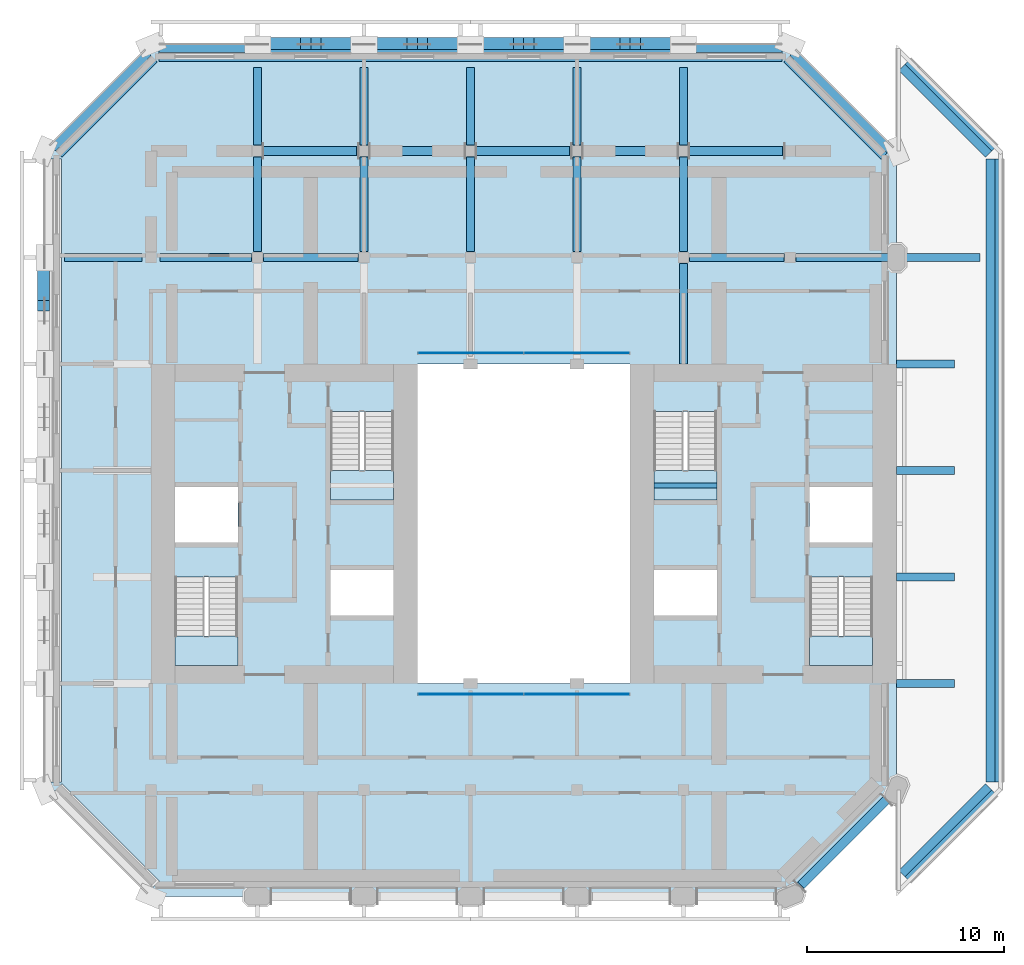
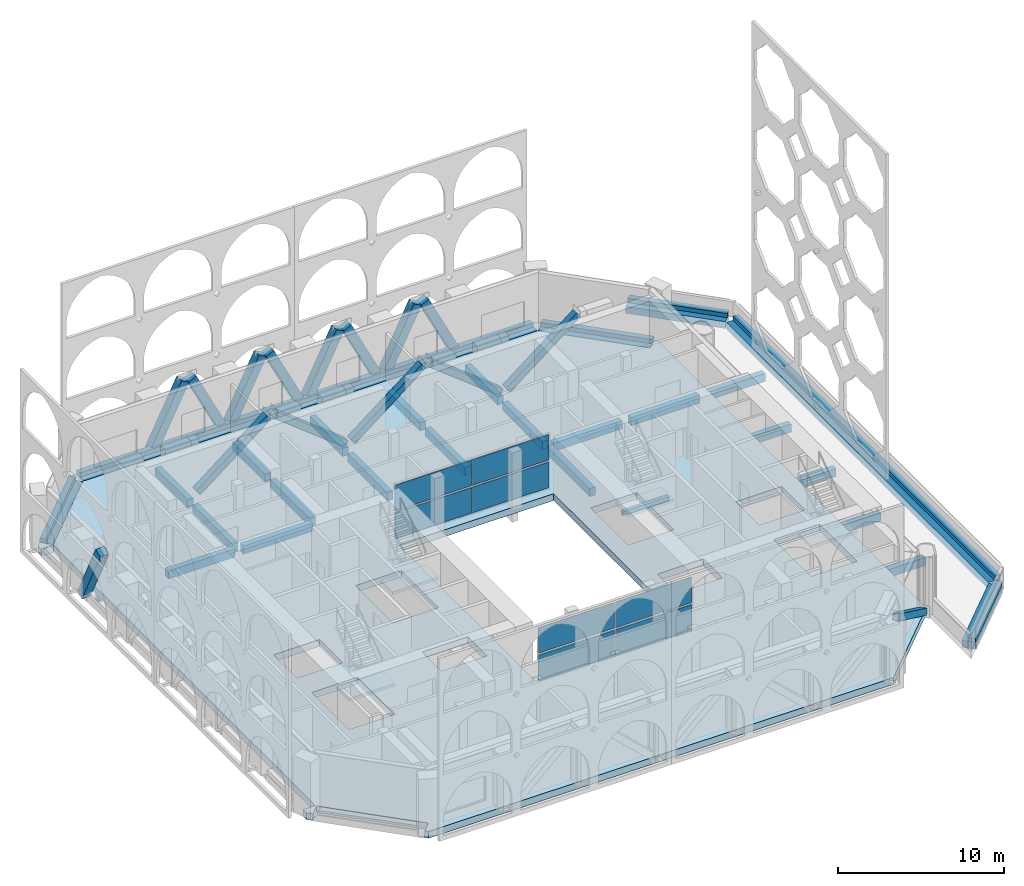
# One storey, part 5 of 16: 34 beams, 15 members, 8 plates, 5 slabs, 6 elements without a shape of their own.
"""IFC4 building model written with IfcOpenShell, lengths in metres."""

from ifc_helpers import new_model, si_unit, direction, frame, origin, origin_2d, place, context, subcontext, project, spatial, polyline, rectangle, outline, extrude, material, layer, layer_set, material_profile, profile_set, type_object, element, aggregate, save


model = new_model("IFC4")

# Units and contexts
model_context = context("Model", 3, precision=1e-05, world=origin(), true_north=direction((0.0, 1.0)))
body_context = subcontext(model_context, "Body", "Model", "MODEL_VIEW")
ifc_project = project(units=[si_unit("LENGTHUNIT", "METRE"), si_unit("AREAUNIT", "SQUARE_METRE"), si_unit("VOLUMEUNIT", "CUBIC_METRE"), si_unit("PLANEANGLEUNIT", "RADIAN"), si_unit("MASSUNIT", "GRAM", prefix="KILO")], contexts=[model_context])

# Site, building, storey
site_placement = place(None, origin())
site = spatial("IfcSite", under=ifc_project, at=site_placement, CompositionType="ELEMENT")
building_placement = place(site_placement, origin())
building = spatial("IfcBuilding", under=site, at=building_placement, Name="Tabaq Tower and Sports Hall", CompositionType="ELEMENT")
storey_placement = place(building_placement, frame((0.0, 0.0, 308.199951171875)))
storey = spatial("IfcBuildingStorey", under=building, at=storey_placement, Name="L77", CompositionType="ELEMENT", Elevation=308.199951171875)

# Beams
ifc_material_1 = material(Name="Concrete C40/50", Category="concrete")
ifc_material_profile_1 = material_profile(ifc_material_1, rectangle(XDim=0.39990234375, YDim=0.60009765625, at=origin_2d()), Name="CB 400x600")
ifc_profile_set_1 = profile_set([ifc_material_profile_1], Name="Concrete C40/50")
beam_type_1 = type_object("IfcBeamType", Name="PT CANTILEVER BEAM CB 400x600 C40/50", PredefinedType="BEAM", material=ifc_profile_set_1)
beam_1_placement = place(storey_placement, frame((1.0, 37.800048828125, -0.800048828125), z_axis=(1.0, 0.0, 0.0), x_axis=(0.0, 1.0, 0.0)))
element("IfcBeam", 1, at=beam_1_placement, inside=storey, type_object=beam_type_1, Name="Cantilever Beam L77 W7 span 1", PredefinedType="BEAM", context=body_context, shape_type="SweptSolid", body=[
    extrude(rectangle(XDim=0.39990234375, YDim=0.60009765625, at=origin_2d()), origin(), (0.0, 0.0, 1.0), 3.949951171875),
])
beam_2_placement = place(storey_placement, frame((5.85009765625, 37.800048828125, -0.800048828125), z_axis=(1.0, 0.0, 0.0), x_axis=(0.0, 1.0, 0.0)))
element("IfcBeam", 2, at=beam_2_placement, inside=storey, type_object=beam_type_1, Name="Cantilever Beam L77 W7 span 2", PredefinedType="BEAM", context=body_context, shape_type="SweptSolid", body=[
    extrude(rectangle(XDim=0.39990234375, YDim=0.60009765625, at=origin_2d()), origin(), (0.0, 0.0, 1.0), 4.64990234375),
])
beam_3_placement = place(storey_placement, frame((11.10009765625, 37.800048828125, -0.800048828125), z_axis=(1.0, 0.0, 0.0), x_axis=(0.0, 1.0, 0.0)))
element("IfcBeam", 3, at=beam_3_placement, inside=storey, type_object=beam_type_1, Name="Cantilever Beam L77 W7 span 3", PredefinedType="BEAM", context=body_context, shape_type="SweptSolid", body=[
    extrude(rectangle(XDim=0.39990234375, YDim=0.60009765625, at=origin_2d()), origin(), (0.0, 0.0, 1.0), 4.7998046875),
])
for number, where, z_axis, x_axis, name in (
    (4, (46.14990234375, 16.199951171875, -0.800048828125), (-1.0, 0.0, 0.0), (0.0, -1.0, 0.0), "Cantilever Beam L77 E3 span 1"),
    (5, (46.14990234375, 21.60009765625, -0.800048828125), (-1.0, 0.0, 0.0), (0.0, -1.0, 0.0), "Cantilever Beam L77 E4 span 1"),
    (6, (46.14990234375, 27.0, -0.800048828125), (-1.0, 0.0, 0.0), (0.0, -1.0, 0.0), "Cantilever Beam L77 E5 span 1"),
    (7, (46.14990234375, 32.39990234375, -0.800048828125), (-1.0, 0.0, 0.0), (0.0, -1.0, 0.0), "Cantilever Beam L77 E6 span 1"),
):
    element("IfcBeam", number, at=place(storey_placement, frame(where, z_axis=z_axis, x_axis=x_axis)), inside=storey, type_object=beam_type_1, Name=name, PredefinedType="BEAM", context=body_context, shape_type="SweptSolid", body=[
        extrude(rectangle(XDim=0.39990234375, YDim=0.60009765625, at=origin_2d()), origin(), (0.0, 0.0, 1.0), 2.949951171875),
    ])
beam_4_placement = place(storey_placement, frame((47.449951171875, 37.800048828125, -0.800048828125), z_axis=(-1.0, 0.0, 0.0), x_axis=(0.0, -1.0, 0.0)))
element("IfcBeam", 8, at=beam_4_placement, inside=storey, type_object=beam_type_1, Name="Cantilever Beam L77 E7 span 1", PredefinedType="BEAM", context=body_context, shape_type="SweptSolid", body=[
    extrude(rectangle(XDim=0.39990234375, YDim=0.60009765625, at=origin_2d()), origin(), (0.0, 0.0, 1.0), 3.949951171875),
])
beam_5_placement = place(storey_placement, frame((42.89990234375, 37.800048828125, -0.800048828125), z_axis=(-1.0, 0.0, 0.0), x_axis=(0.0, -1.0, 0.0)))
element("IfcBeam", 9, at=beam_5_placement, inside=storey, type_object=beam_type_1, Name="Cantilever Beam L77 E7 span 2", PredefinedType="BEAM", context=body_context, shape_type="SweptSolid", body=[
    extrude(rectangle(XDim=0.39990234375, YDim=0.60009765625, at=origin_2d()), origin(), (0.0, 0.0, 1.0), 4.7998046875),
])
beam_6_placement = place(storey_placement, frame((37.5, 37.800048828125, -0.800048828125), z_axis=(-1.0, 0.0, 0.0), x_axis=(0.0, -1.0, 0.0)))
element("IfcBeam", 10, at=beam_6_placement, inside=storey, type_object=beam_type_1, Name="Cantilever Beam L77 E7 span 3", PredefinedType="BEAM", context=body_context, shape_type="SweptSolid", body=[
    extrude(rectangle(XDim=0.39990234375, YDim=0.60009765625, at=origin_2d()), origin(), (0.0, 0.0, 1.0), 4.800048828125),
])
beam_7_placement = place(storey_placement, frame((10.800048828125, 47.449951171875, -0.800048828125), z_axis=(0.0, -1.0, 0.0), x_axis=(1.0, 0.0, 0.0)))
element("IfcBeam", 11, at=beam_7_placement, inside=storey, type_object=beam_type_1, Name="Cantilever Beam L77 N2 span 1", PredefinedType="BEAM", context=body_context, shape_type="SweptSolid", body=[
    extrude(rectangle(XDim=0.39990234375, YDim=0.60009765625, at=origin_2d()), origin(), (0.0, 0.0, 1.0), 3.949951171875),
])
beam_8_placement = place(storey_placement, frame((10.800048828125, 42.89990234375, -0.800048828125), z_axis=(0.0, -1.0, 0.0), x_axis=(1.0, 0.0, 0.0)))
element("IfcBeam", 12, at=beam_8_placement, inside=storey, type_object=beam_type_1, Name="Cantilever Beam L77 N2 span 2", PredefinedType="BEAM", context=body_context, shape_type="SweptSolid", body=[
    extrude(rectangle(XDim=0.39990234375, YDim=0.60009765625, at=origin_2d()), origin(), (0.0, 0.0, 1.0), 4.7998046875),
])
beam_9_placement = place(storey_placement, frame((16.199951171875, 47.449951171875, -0.800048828125), z_axis=(0.0, -1.0, 0.0), x_axis=(1.0, 0.0, 0.0)))
element("IfcBeam", 13, at=beam_9_placement, inside=storey, type_object=beam_type_1, Name="Cantilever Beam L77 N3 span 1", PredefinedType="BEAM", context=body_context, shape_type="SweptSolid", body=[
    extrude(rectangle(XDim=0.39990234375, YDim=0.60009765625, at=origin_2d()), origin(), (0.0, 0.0, 1.0), 3.949951171875),
])
beam_10_placement = place(storey_placement, frame((16.199951171875, 42.89990234375, -0.800048828125), z_axis=(0.0, -1.0, 0.0), x_axis=(1.0, 0.0, 0.0)))
element("IfcBeam", 14, at=beam_10_placement, inside=storey, type_object=beam_type_1, Name="Cantilever Beam L77 N3 span 2", PredefinedType="BEAM", context=body_context, shape_type="SweptSolid", body=[
    extrude(rectangle(XDim=0.39990234375, YDim=0.60009765625, at=origin_2d()), origin(), (0.0, 0.0, 1.0), 4.7998046875),
])
beam_11_placement = place(storey_placement, frame((21.60009765625, 47.449951171875, -0.800048828125), z_axis=(0.0, -1.0, 0.0), x_axis=(1.0, 0.0, 0.0)))
element("IfcBeam", 15, at=beam_11_placement, inside=storey, type_object=beam_type_1, Name="Cantilever Beam L77 N4 span 1", PredefinedType="BEAM", context=body_context, shape_type="SweptSolid", body=[
    extrude(rectangle(XDim=0.39990234375, YDim=0.60009765625, at=origin_2d()), origin(), (0.0, 0.0, 1.0), 3.949951171875),
])
beam_12_placement = place(storey_placement, frame((21.60009765625, 42.89990234375, -0.800048828125), z_axis=(0.0, -1.0, 0.0), x_axis=(1.0, 0.0, 0.0)))
element("IfcBeam", 16, at=beam_12_placement, inside=storey, type_object=beam_type_1, Name="Cantilever Beam L77 N4 span 2", PredefinedType="BEAM", context=body_context, shape_type="SweptSolid", body=[
    extrude(rectangle(XDim=0.39990234375, YDim=0.60009765625, at=origin_2d()), origin(), (0.0, 0.0, 1.0), 4.7998046875),
])
beam_13_placement = place(storey_placement, frame((27.0, 47.449951171875, -0.800048828125), z_axis=(0.0, -1.0, 0.0), x_axis=(1.0, 0.0, 0.0)))
element("IfcBeam", 17, at=beam_13_placement, inside=storey, type_object=beam_type_1, Name="Cantilever Beam L77 N5 span 1", PredefinedType="BEAM", context=body_context, shape_type="SweptSolid", body=[
    extrude(rectangle(XDim=0.39990234375, YDim=0.60009765625, at=origin_2d()), origin(), (0.0, 0.0, 1.0), 3.949951171875),
])
beam_14_placement = place(storey_placement, frame((27.0, 42.89990234375, -0.800048828125), z_axis=(0.0, -1.0, 0.0), x_axis=(1.0, 0.0, 0.0)))
element("IfcBeam", 18, at=beam_14_placement, inside=storey, type_object=beam_type_1, Name="Cantilever Beam L77 N5 span 2", PredefinedType="BEAM", context=body_context, shape_type="SweptSolid", body=[
    extrude(rectangle(XDim=0.39990234375, YDim=0.60009765625, at=origin_2d()), origin(), (0.0, 0.0, 1.0), 4.7998046875),
])
beam_15_placement = place(storey_placement, frame((32.39990234375, 47.449951171875, -0.800048828125), z_axis=(0.0, -1.0, 0.0), x_axis=(1.0, 0.0, 0.0)))
element("IfcBeam", 19, at=beam_15_placement, inside=storey, type_object=beam_type_1, Name="Cantilever Beam L77 N6 span 1", PredefinedType="BEAM", context=body_context, shape_type="SweptSolid", body=[
    extrude(rectangle(XDim=0.39990234375, YDim=0.60009765625, at=origin_2d()), origin(), (0.0, 0.0, 1.0), 3.949951171875),
])
beam_16_placement = place(storey_placement, frame((32.39990234375, 42.89990234375, -0.800048828125), z_axis=(0.0, -1.0, 0.0), x_axis=(1.0, 0.0, 0.0)))
element("IfcBeam", 20, at=beam_16_placement, inside=storey, type_object=beam_type_1, Name="Cantilever Beam L77 N6 span 2", PredefinedType="BEAM", context=body_context, shape_type="SweptSolid", body=[
    extrude(rectangle(XDim=0.39990234375, YDim=0.60009765625, at=origin_2d()), origin(), (0.0, 0.0, 1.0), 4.7998046875),
])
beam_17_placement = place(storey_placement, frame((32.39990234375, 37.5, -0.800048828125), z_axis=(0.0, -1.0, 0.0), x_axis=(1.0, 0.0, 0.0)))
element("IfcBeam", 21, at=beam_17_placement, inside=storey, type_object=beam_type_1, Name="Cantilever Beam L77 N6 span 3", PredefinedType="BEAM", context=body_context, shape_type="SweptSolid", body=[
    extrude(rectangle(XDim=0.39990234375, YDim=0.60009765625, at=origin_2d()), origin(), (0.0, 0.0, 1.0), 5.10009765625),
])
ifc_material_2 = material(Name="Concrete C40/50", Category="concrete")
ifc_material_profile_2 = material_profile(ifc_material_2, rectangle(XDim=0.85009765625, YDim=0.5, at=origin_2d()), Name="EB 850x500")
ifc_profile_set_2 = profile_set([ifc_material_profile_2], Name="Concrete C40/50")
beam_type_2 = type_object("IfcBeamType", Name="PT EDGE BEAM EB 850x500 C40/50", PredefinedType="SPANDREL", material=ifc_profile_set_2)
beam_18_placement = place(storey_placement, frame((42.72265625, 43.076171875, -0.25), z_axis=(-0.707106781187, 0.707106781187, 0.0), x_axis=(-0.707106781187, -0.707106781187, 0.0)))
element("IfcBeam", 22, at=beam_18_placement, inside=storey, type_object=beam_type_2, Name="Edge Beam L77 1", PredefinedType="SPANDREL", context=body_context, shape_type="SweptSolid", body=[
    extrude(rectangle(XDim=0.85009765625, YDim=0.5, at=origin_2d()), origin(), (0.0, 0.0, 1.0), 6.98486328125),
])
beam_19_placement = place(storey_placement, frame((37.39794921875, 48.175048828125, -0.25), z_axis=(-1.0, 0.0, 0.0), x_axis=(0.0, -1.0, 0.0)))
element("IfcBeam", 23, at=beam_19_placement, inside=storey, type_object=beam_type_2, Name="Edge Beam L77 2", PredefinedType="SPANDREL", context=body_context, shape_type="SweptSolid", body=[
    extrude(rectangle(XDim=0.85009765625, YDim=0.5, at=origin_2d()), origin(), (0.0, 0.0, 1.0), 31.595947265625),
])
beam_20_placement = place(storey_placement, frame((5.416259765625, 48.01513671875, -0.25), z_axis=(-0.707124646667, -0.707088915255, 0.0), x_axis=(0.707088915255, -0.707124646667, 0.0)))
element("IfcBeam", 24, at=beam_20_placement, inside=storey, type_object=beam_type_2, Name="Edge Beam L77 3", PredefinedType="SPANDREL", context=body_context, shape_type="SweptSolid", body=[
    extrude(rectangle(XDim=0.85009765625, YDim=0.5, at=origin_2d()), origin(), (0.0, 0.0, 1.0), 6.832763671875),
])
beam_21_placement = place(storey_placement, frame((43.614990234375, 6.416015625, -0.25), z_axis=(0.707106781187, 0.707106781187, 0.0), x_axis=(-0.707106781187, 0.707106781187, 0.0)))
element("IfcBeam", 25, at=beam_21_placement, inside=storey, type_object=beam_type_2, Name="Edge Beam L77 6", PredefinedType="SPANDREL", context=body_context, shape_type="SweptSolid", body=[
    extrude(rectangle(XDim=0.85009765625, YDim=0.5, at=origin_2d()), origin(), (0.0, 0.0, 1.0), 6.22265625),
])
beam_22_placement = place(storey_placement, frame((48.175048828125, 11.2021484375, -0.25), z_axis=(0.0, 1.0, 0.0), x_axis=(-1.0, 0.0, 0.0)))
element("IfcBeam", 26, at=beam_22_placement, inside=storey, type_object=beam_type_2, Name="Edge Beam L77 7", PredefinedType="SPANDREL", context=body_context, shape_type="SweptSolid", body=[
    extrude(rectangle(XDim=0.85009765625, YDim=0.5, at=origin_2d()), origin(), (0.0, 0.0, 1.0), 31.595703125),
])
beam_23_placement = place(storey_placement, frame((48.01513671875, 43.183837890625, -0.25), z_axis=(-0.707106781187, 0.707106781187, 0.0), x_axis=(-0.707106781187, -0.707106781187, 0.0)))
element("IfcBeam", 27, at=beam_23_placement, inside=storey, type_object=beam_type_2, Name="Edge Beam L77 8", PredefinedType="SPANDREL", context=body_context, shape_type="SweptSolid", body=[
    extrude(rectangle(XDim=0.85009765625, YDim=0.5, at=origin_2d()), origin(), (0.0, 0.0, 1.0), 6.22265625),
])
ifc_material_3 = material(Name="Concrete C40/50", Category="concrete")
ifc_material_profile_3 = material_profile(ifc_material_3, rectangle(XDim=0.39990234375, YDim=0.300048828125, at=origin_2d()), Name="EU 400x300")
ifc_profile_set_3 = profile_set([ifc_material_profile_3], Name="Concrete C40/50")
beam_type_3 = type_object("IfcBeamType", Name="PT EDGE UPSTAND EU 400x300 C40/50", PredefinedType="BEAM", material=ifc_profile_set_3)
beam_24_placement = place(storey_placement, frame((42.8818359375, 43.2353515625, 0.150146484375), z_axis=(-0.707106781187, 0.707106781187, 0.0), x_axis=(-0.707106781187, -0.707106781187, 0.0)))
element("IfcBeam", 28, at=beam_24_placement, inside=storey, type_object=beam_type_3, Name="Edge Upstand L77 1", PredefinedType="BEAM", context=body_context, shape_type="SweptSolid", body=[
    extrude(rectangle(XDim=0.39990234375, YDim=0.300048828125, at=origin_2d()), origin(), (0.0, 0.0, 1.0), 6.98486328125),
])
beam_25_placement = place(storey_placement, frame((37.39794921875, 48.39990234375, 0.150146484375), z_axis=(-1.0, 0.0, 0.0), x_axis=(0.0, -1.0, 0.0)))
element("IfcBeam", 29, at=beam_25_placement, inside=storey, type_object=beam_type_3, Name="Edge Upstand L77 2", PredefinedType="BEAM", context=body_context, shape_type="SweptSolid", body=[
    extrude(rectangle(XDim=0.39990234375, YDim=0.300048828125, at=origin_2d()), origin(), (0.0, 0.0, 1.0), 31.595947265625),
])
beam_26_placement = place(storey_placement, frame((5.257080078125, 48.17431640625, 0.150146484375), z_axis=(-0.707088915255, -0.707124646667, 0.0), x_axis=(0.707124646667, -0.707088915255, 0.0)))
element("IfcBeam", 30, at=beam_26_placement, inside=storey, type_object=beam_type_3, Name="Edge Upstand L77 3", PredefinedType="BEAM", context=body_context, shape_type="SweptSolid", body=[
    extrude(rectangle(XDim=0.39990234375, YDim=0.300048828125, at=origin_2d()), origin(), (0.0, 0.0, 1.0), 6.832763671875),
])
beam_27_placement = place(storey_placement, frame((43.774169921875, 6.2568359375, 0.150146484375), z_axis=(0.70708716467, 0.707126397159, 0.0), x_axis=(-0.707126397159, 0.70708716467, 0.0)))
element("IfcBeam", 31, at=beam_27_placement, inside=storey, type_object=beam_type_3, Name="Edge Upstand L77 6", PredefinedType="BEAM", context=body_context, shape_type="SweptSolid", body=[
    extrude(rectangle(XDim=0.39990234375, YDim=0.300048828125, at=origin_2d()), origin(), (0.0, 0.0, 1.0), 6.222900390625),
])
beam_28_placement = place(storey_placement, frame((48.39990234375, 11.2021484375, 0.150146484375), z_axis=(0.0, 1.0, 0.0), x_axis=(-1.0, 0.0, 0.0)))
element("IfcBeam", 32, at=beam_28_placement, inside=storey, type_object=beam_type_3, Name="Edge Upstand L77 7", PredefinedType="BEAM", context=body_context, shape_type="SweptSolid", body=[
    extrude(rectangle(XDim=0.39990234375, YDim=0.300048828125, at=origin_2d()), origin(), (0.0, 0.0, 1.0), 31.595703125),
])
beam_29_placement = place(storey_placement, frame((48.17431640625, 43.3427734375, 0.150146484375), z_axis=(-0.70708716467, 0.707126397159, 0.0), x_axis=(-0.707126397159, -0.70708716467, 0.0)))
element("IfcBeam", 33, at=beam_29_placement, inside=storey, type_object=beam_type_3, Name="Edge Upstand L77 8", PredefinedType="BEAM", context=body_context, shape_type="SweptSolid", body=[
    extrude(rectangle(XDim=0.39990234375, YDim=0.300048828125, at=origin_2d()), origin(), (0.0, 0.0, 1.0), 6.222900390625),
])

# Members
ifc_material_4 = material(Name="Concrete C40/50", Category="concrete")
ifc_material_profile_4 = material_profile(ifc_material_4, rectangle(XDim=0.449951171875, YDim=0.449951171875, at=origin_2d()), Name="BELT STRUT 450x450")
ifc_profile_set_4 = profile_set([ifc_material_profile_4], Name="Concrete C40/50")
member_type_1 = type_object("IfcMemberType", Name="RC BELT TRUSS STRUT BELT STRUT 450x450 C40/50", PredefinedType="BRACE", material=ifc_profile_set_4)
member_1_placement = place(storey_placement, frame((42.719482421875, 10.3193359375, 0.1923828125), z_axis=(-0.604267196655, -0.604233962292, 0.519386632346), x_axis=(0.707087335142, -0.707126226696, 0.0)))
element("IfcMember", 34, at=member_1_placement, inside=storey, type_object=member_type_1, Name="Belt Truss Strut L77 6", PredefinedType="BRACE", context=body_context, shape_type="SweptSolid", body=[
    extrude(rectangle(XDim=0.449951171875, YDim=0.449951171875, at=origin_2d()), origin(), (0.0, 0.0, 1.0), 7.345947265625),
])
for number, where, z_axis, x_axis, name in (
    (35, (11.044921875, 43.199951171875, 0.17724609375), (0.787273658158, 0.0, 0.616603752154), (0.0, 1.0, 0.0), "Belt Truss Strut L77 7"),
    (36, (21.35498046875, 43.199951171875, 0.17724609375), (-0.787258774734, 0.0, 0.616622754692), (0.0, -1.0, 0.0), "Belt Truss Strut L77 8"),
    (37, (21.844970703125, 43.199951171875, 0.17724609375), (0.787258774734, 0.0, 0.616622754692), (0.0, 1.0, 0.0), "Belt Truss Strut L77 9"),
    (38, (32.155029296875, 43.199951171875, 0.17724609375), (-0.787258774734, 0.0, 0.616622754692), (0.0, -1.0, 0.0), "Belt Truss Strut L77 10"),
    (39, (32.64501953125, 43.199951171875, 0.17724609375), (0.787258774734, 0.0, 0.616622754692), (0.0, 1.0, 0.0), "Belt Truss Strut L77 11"),
):
    element("IfcMember", number, at=place(storey_placement, frame(where, z_axis=z_axis, x_axis=x_axis)), inside=storey, type_object=member_type_1, Name=name, PredefinedType="BRACE", context=body_context, shape_type="SweptSolid", body=[
        extrude(rectangle(XDim=0.449951171875, YDim=0.449951171875, at=origin_2d()), origin(), (0.0, 0.0, 1.0), 6.23681640625),
    ])
ifc_material_5 = material(Name="Concrete C40/50", Category="concrete")
ifc_material_profile_5 = material_profile(ifc_material_5, rectangle(XDim=0.60009765625, YDim=0.60009765625, at=origin_2d()), Name="TRANSFER BAND BRACE 600x600")
ifc_profile_set_5 = profile_set([ifc_material_profile_5], Name="Concrete C40/50")
member_type_2 = type_object("IfcMemberType", Name="RC TRANSFER BAND BRACE 600x600 C40/50", PredefinedType="BRACE", material=ifc_profile_set_5)
for number, where, z_axis, x_axis, name in (
    (40, (11.050048828125, 48.64990234375, -0.050048828125), (0.447193744375, 0.0, 0.894437116287), (0.0, 1.0, 0.0), "Transfer Band Brace L77 North 1"),
    (41, (15.949951171875, 48.64990234375, -0.050048828125), (-0.447193744375, 0.0, 0.894437116287), (0.0, -1.0, 0.0), "Transfer Band Brace L77 North 2"),
    (42, (16.449951171875, 48.64990234375, -0.050048828125), (0.447193744375, 0.0, 0.894437116287), (0.0, 1.0, 0.0), "Transfer Band Brace L77 North 3"),
):
    element("IfcMember", number, at=place(storey_placement, frame(where, z_axis=z_axis, x_axis=x_axis)), inside=storey, type_object=member_type_2, Name=name, PredefinedType="BRACE", context=body_context, shape_type="SweptSolid", body=[
        extrude(rectangle(XDim=0.60009765625, YDim=0.60009765625, at=origin_2d()), origin(), (0.0, 0.0, 1.0), 4.91943359375),
    ])
member_2_placement = place(storey_placement, frame((21.35009765625, 48.64990234375, -0.050048828125), z_axis=(-0.447233445964, 0.0, 0.894417265492), x_axis=(0.0, -1.0, 0.0)))
element("IfcMember", 43, at=member_2_placement, inside=storey, type_object=member_type_2, Name="Transfer Band Brace L77 North 4", PredefinedType="BRACE", context=body_context, shape_type="SweptSolid", body=[
    extrude(rectangle(XDim=0.60009765625, YDim=0.60009765625, at=origin_2d()), origin(), (0.0, 0.0, 1.0), 4.919677734375),
])
for number, where, z_axis, x_axis, name in (
    (44, (21.85009765625, 48.64990234375, -0.050048828125), (0.447193744375, 0.0, 0.894437116287), (0.0, 1.0, 0.0), "Transfer Band Brace L77 North 5"),
    (45, (26.75, 48.64990234375, -0.050048828125), (-0.447193744375, 0.0, 0.894437116287), (0.0, -1.0, 0.0), "Transfer Band Brace L77 North 6"),
    (46, (27.25, 48.64990234375, -0.050048828125), (0.447193744375, 0.0, 0.894437116287), (0.0, 1.0, 0.0), "Transfer Band Brace L77 North 7"),
    (47, (32.14990234375, 48.64990234375, -0.050048828125), (-0.447193744375, 0.0, 0.894437116287), (0.0, -1.0, 0.0), "Transfer Band Brace L77 North 8"),
    (48, (-0.050048828125, 37.550048828125, -0.050048828125), (0.0, -0.447193744375, 0.894437116287), (1.0, 0.0, 0.0), "Transfer Band Brace L77 West 16"),
):
    element("IfcMember", number, at=place(storey_placement, frame(where, z_axis=z_axis, x_axis=x_axis)), inside=storey, type_object=member_type_2, Name=name, PredefinedType="BRACE", context=body_context, shape_type="SweptSolid", body=[
        extrude(rectangle(XDim=0.60009765625, YDim=0.60009765625, at=origin_2d()), origin(), (0.0, 0.0, 1.0), 4.91943359375),
    ])

# Beam
ifc_material_6 = material(Name="Concrete C40/50", Category="concrete")
ifc_material_profile_6 = material_profile(ifc_material_6, rectangle(XDim=0.25, YDim=0.300048828125, at=origin_2d()), Name="RC 250x300")
ifc_profile_set_6 = profile_set([ifc_material_profile_6], Name="Concrete C40/50")
beam_type_4 = type_object("IfcBeamType", Name="Stair landing beam 250x300", PredefinedType="BEAM", material=ifc_profile_set_6)
beam_30_placement = place(storey_placement, frame((30.89990234375, 26.25, 1.900146484375), z_axis=(1.0, 0.0, 0.0), x_axis=(0.0, 1.0, 0.0)))
element("IfcBeam", 49, at=beam_30_placement, inside=storey, type_object=beam_type_4, Name="L77 ST4 landing beam 1", PredefinedType="BEAM", context=body_context, shape_type="SweptSolid", body=[
    extrude(rectangle(XDim=0.25, YDim=0.300048828125, at=origin_2d()), origin(), (0.0, 0.0, 1.0), 3.2001953125),
])

# Curtain wall, plates
ifc_material_7 = material(Name="Aluminium alloy 6063-T6 framed glazing", Category="aluminium")
curtain_wall_type = type_object("IfcCurtainWallType", Name="CW1 curtain wall", PredefinedType="USERDEFINED", material=ifc_material_7)
curtain_wall_1_placement = place(storey_placement, origin())
curtain_wall_1 = element("IfcCurtainWall", 50, at=curtain_wall_1_placement, inside=storey, type_object=curtain_wall_type, Name="Atrium glazing L77 S", ObjectType="ATRIUM ENCLOSURE", PredefinedType="USERDEFINED")
ifc_material_8 = material(Name="Clear low-emissivity glass 28 mm", Category="glass")
ifc_layer_1 = layer(ifc_material_8, 0.028076171875)
ifc_layer_set_1 = layer_set([ifc_layer_1], Name="CW1 glass panel 28")
plate_type = type_object("IfcPlateType", Name="CW1 glass panel 28", PredefinedType="CURTAIN_PANEL", material=ifc_layer_set_1)
plate_1_placement = place(storey_placement, frame((21.614990234375, 15.64990234375, 0.14013671875), z_axis=(0.0, 0.0, 1.0), x_axis=(1.0, 0.0, 0.0)))
plate_1 = element("IfcPlate", 51, at=plate_1_placement, type_object=plate_type, Name="CW1 panel 1.1", PredefinedType="CURTAIN_PANEL", context=body_context, shape_type="SweptSolid", body=[
    extrude(rectangle(XDim=5.31005859375, YDim=0.028076171875, at=origin_2d()), origin(), (0.0, 0.0, 1.0), 1.889892578125),
])
plate_2_placement = place(storey_placement, frame((21.614990234375, 15.64990234375, 2.169921875), z_axis=(0.0, 0.0, 1.0), x_axis=(1.0, 0.0, 0.0)))
plate_2 = element("IfcPlate", 52, at=plate_2_placement, type_object=plate_type, Name="CW1 panel 1.2", PredefinedType="CURTAIN_PANEL", context=body_context, shape_type="SweptSolid", body=[
    extrude(rectangle(XDim=5.31005859375, YDim=0.028076171875, at=origin_2d()), origin(), (0.0, 0.0, 1.0), 1.889892578125),
])
plate_3_placement = place(storey_placement, frame((26.985107421875, 15.64990234375, 0.14013671875), z_axis=(0.0, 0.0, 1.0), x_axis=(1.0, 0.0, 0.0)))
plate_3 = element("IfcPlate", 53, at=plate_3_placement, type_object=plate_type, Name="CW1 panel 2.1", PredefinedType="CURTAIN_PANEL", context=body_context, shape_type="SweptSolid", body=[
    extrude(rectangle(XDim=5.31005859375, YDim=0.028076171875, at=origin_2d()), origin(), (0.0, 0.0, 1.0), 1.889892578125),
])
plate_4_placement = place(storey_placement, frame((26.985107421875, 15.64990234375, 2.169921875), z_axis=(0.0, 0.0, 1.0), x_axis=(1.0, 0.0, 0.0)))
plate_4 = element("IfcPlate", 54, at=plate_4_placement, type_object=plate_type, Name="CW1 panel 2.2", PredefinedType="CURTAIN_PANEL", context=body_context, shape_type="SweptSolid", body=[
    extrude(rectangle(XDim=5.31005859375, YDim=0.028076171875, at=origin_2d()), origin(), (0.0, 0.0, 1.0), 1.889892578125),
])
aggregate(curtain_wall_1, [plate_1, plate_2, plate_3, plate_4])

curtain_wall_2_placement = place(storey_placement, origin())
curtain_wall_2 = element("IfcCurtainWall", 55, at=curtain_wall_2_placement, inside=storey, type_object=curtain_wall_type, Name="Atrium glazing L77 N", ObjectType="ATRIUM ENCLOSURE", PredefinedType="USERDEFINED")
plate_5_placement = place(storey_placement, frame((21.614990234375, 32.949951171875, 0.14013671875), z_axis=(0.0, 0.0, 1.0), x_axis=(1.0, 0.0, 0.0)))
plate_5 = element("IfcPlate", 56, at=plate_5_placement, type_object=plate_type, Name="CW1 panel 1.1", PredefinedType="CURTAIN_PANEL", context=body_context, shape_type="SweptSolid", body=[
    extrude(rectangle(XDim=5.31005859375, YDim=0.028076171875, at=origin_2d()), origin(), (0.0, 0.0, 1.0), 1.889892578125),
])
plate_6_placement = place(storey_placement, frame((21.614990234375, 32.949951171875, 2.169921875), z_axis=(0.0, 0.0, 1.0), x_axis=(1.0, 0.0, 0.0)))
plate_6 = element("IfcPlate", 57, at=plate_6_placement, type_object=plate_type, Name="CW1 panel 1.2", PredefinedType="CURTAIN_PANEL", context=body_context, shape_type="SweptSolid", body=[
    extrude(rectangle(XDim=5.31005859375, YDim=0.028076171875, at=origin_2d()), origin(), (0.0, 0.0, 1.0), 1.889892578125),
])
plate_7_placement = place(storey_placement, frame((26.985107421875, 32.949951171875, 0.14013671875), z_axis=(0.0, 0.0, 1.0), x_axis=(1.0, 0.0, 0.0)))
plate_7 = element("IfcPlate", 58, at=plate_7_placement, type_object=plate_type, Name="CW1 panel 2.1", PredefinedType="CURTAIN_PANEL", context=body_context, shape_type="SweptSolid", body=[
    extrude(rectangle(XDim=5.31005859375, YDim=0.028076171875, at=origin_2d()), origin(), (0.0, 0.0, 1.0), 1.889892578125),
])
plate_8_placement = place(storey_placement, frame((26.985107421875, 32.949951171875, 2.169921875), z_axis=(0.0, 0.0, 1.0), x_axis=(1.0, 0.0, 0.0)))
plate_8 = element("IfcPlate", 59, at=plate_8_placement, type_object=plate_type, Name="CW1 panel 2.2", PredefinedType="CURTAIN_PANEL", context=body_context, shape_type="SweptSolid", body=[
    extrude(rectangle(XDim=5.31005859375, YDim=0.028076171875, at=origin_2d()), origin(), (0.0, 0.0, 1.0), 1.889892578125),
])
aggregate(curtain_wall_2, [plate_5, plate_6, plate_7, plate_8])

# Stair, slab
ifc_material_9 = material(Name="Concrete C40/50", Category="concrete")
stair_type = type_object("IfcStairType", Name="Exit stair", PredefinedType="HALF_TURN_STAIR", material=ifc_material_9)
stair_1_placement = place(storey_placement, origin())
stair_1 = element("IfcStair", 60, at=stair_1_placement, inside=storey, type_object=stair_type, Name="L77 Exit stair ST1", PredefinedType="HALF_TURN_STAIR")
ifc_material_10 = material(Name="Concrete C40/50", Category="concrete")
ifc_layer_2 = layer(ifc_material_10, 0.199951171875)
ifc_layer_set_2 = layer_set([ifc_layer_2], Name="Exit stair landing")
slab_type_1 = type_object("IfcSlabType", Name="Exit stair landing", PredefinedType="LANDING", material=ifc_layer_set_2)
slab_1_placement = place(storey_placement, frame((0.0, 0.0, 2.050048828125)))
slab_1 = element("IfcSlab", 61, at=slab_1_placement, type_object=slab_type_1, Name="ST1 landing 1", PredefinedType="LANDING", context=body_context, shape_type="SweptSolid", body=[
    extrude(outline(polyline([(6.60009765625, 18.60009765625), (6.60009765625, 17.10009765625), (9.800048828125, 17.10009765625), (9.800048828125, 18.60009765625), (6.60009765625, 18.60009765625)])), origin(), (0.0, 0.0, 1.0), 0.199951171875),
])
aggregate(stair_1, [slab_1])

stair_2_placement = place(storey_placement, origin())
stair_2 = element("IfcStair", 62, at=stair_2_placement, inside=storey, type_object=stair_type, Name="L77 Exit stair ST2", PredefinedType="HALF_TURN_STAIR")
slab_2_placement = place(storey_placement, frame((0.0, 0.0, 2.050048828125)))
slab_2 = element("IfcSlab", 63, at=slab_2_placement, type_object=slab_type_1, Name="ST2 landing 1", PredefinedType="LANDING", context=body_context, shape_type="SweptSolid", body=[
    extrude(outline(polyline([(14.5, 27.0), (14.5, 25.5), (17.699951171875, 25.5), (17.699951171875, 27.0), (14.5, 27.0)])), origin(), (0.0, 0.0, 1.0), 0.199951171875),
])
aggregate(stair_2, [slab_2])

stair_3_placement = place(storey_placement, origin())
stair_3 = element("IfcStair", 64, at=stair_3_placement, inside=storey, type_object=stair_type, Name="L77 Exit stair ST3", PredefinedType="HALF_TURN_STAIR")
slab_3_placement = place(storey_placement, frame((0.0, 0.0, 2.050048828125)))
slab_3 = element("IfcSlab", 65, at=slab_3_placement, type_object=slab_type_1, Name="ST3 landing 1", PredefinedType="LANDING", context=body_context, shape_type="SweptSolid", body=[
    extrude(outline(polyline([(38.800048828125, 18.60009765625), (38.800048828125, 17.10009765625), (42.0, 17.10009765625), (42.0, 18.60009765625), (38.800048828125, 18.60009765625)])), origin(), (0.0, 0.0, 1.0), 0.199951171875),
])
aggregate(stair_3, [slab_3])

stair_4_placement = place(storey_placement, origin())
stair_4 = element("IfcStair", 66, at=stair_4_placement, inside=storey, type_object=stair_type, Name="L77 Exit stair ST4", PredefinedType="HALF_TURN_STAIR")
slab_4_placement = place(storey_placement, frame((0.0, 0.0, 2.050048828125)))
slab_4 = element("IfcSlab", 67, at=slab_4_placement, type_object=slab_type_1, Name="ST4 landing 1", PredefinedType="LANDING", context=body_context, shape_type="SweptSolid", body=[
    extrude(outline(polyline([(30.89990234375, 27.0), (30.89990234375, 25.5), (34.10009765625, 25.5), (34.10009765625, 27.0), (30.89990234375, 27.0)])), origin(), (0.0, 0.0, 1.0), 0.199951171875),
])
aggregate(stair_4, [slab_4])

# Slab
ifc_material_11 = material(Name="Concrete C40/50", Category="concrete")
ifc_layer_3 = layer(ifc_material_11, 0.5)
ifc_layer_set_3 = layer_set([ifc_layer_3], Name="PT FLOOR SLAB 500 C40/50")
slab_type_2 = type_object("IfcSlabType", Name="PT FLOOR SLAB 500 C40/50", PredefinedType="FLOOR", material=ifc_layer_set_3)
slab_5_placement = place(storey_placement, frame((0.0, 0.0, -0.5)))
element("IfcSlab", 68, at=slab_5_placement, inside=storey, type_object=slab_type_2, Name="Floor Slab L77", PredefinedType="FLOOR", context=body_context, shape_type="SweptSolid", body=[
    extrude(outline(polyline([(0.0, 11.2021484375), (0.0, 10.800048828125), (0.284423828125, 10.515625), (0.814697265625, 11.0458984375), (0.88525390625, 11.11669921875), (5.82421875, 6.177734375), (5.753662109375, 6.107177734375), (5.22314453125, 5.57666015625), (5.39990234375, 5.39990234375), (37.800048828125, 5.39990234375), (43.199951171875, 10.800048828125), (43.199951171875, 43.199951171875), (43.023193359375, 43.376708984375), (42.492919921875, 42.846435546875), (42.422119140625, 42.775634765625), (37.483154296875, 47.714599609375), (37.553955078125, 47.785400390625), (38.084228515625, 48.315673828125), (37.800048828125, 48.60009765625), (37.39794921875, 48.60009765625), (37.39794921875, 47.85009765625), (37.39794921875, 47.75), (5.802001953125, 47.75), (5.802001953125, 47.85009765625), (5.802001953125, 48.60009765625), (5.39990234375, 48.60009765625), (5.11572265625, 48.315673828125), (5.64599609375, 47.785400390625), (5.716796875, 47.714599609375), (0.88525390625, 42.88330078125), (0.284423828125, 43.484375), (0.0, 43.199951171875), (0.0, 42.7978515625), (0.75, 42.7978515625), (0.85009765625, 42.7978515625), (0.85009765625, 11.2021484375), (0.75, 11.2021484375), (0.0, 11.2021484375)]), holes=[polyline([(6.60009765625, 21.599365234375), (9.800048828125, 21.599365234375), (9.800048828125, 17.10009765625), (6.60009765625, 17.10009765625), (6.60009765625, 21.599365234375)]), polyline([(38.800048828125, 21.599365234375), (42.0, 21.599365234375), (42.0, 17.10009765625), (38.800048828125, 17.10009765625), (38.800048828125, 21.599365234375)]), polyline([(14.5, 21.949951171875), (17.699951171875, 21.949951171875), (17.699951171875, 19.64990234375), (14.5, 19.64990234375), (14.5, 21.949951171875)]), polyline([(30.89990234375, 21.949951171875), (34.10009765625, 21.949951171875), (34.10009765625, 19.64990234375), (30.89990234375, 19.64990234375), (30.89990234375, 21.949951171875)]), polyline([(18.89990234375, 16.199951171875), (18.89990234375, 32.39990234375), (29.699951171875, 32.39990234375), (29.699951171875, 16.199951171875), (18.89990234375, 16.199951171875)]), polyline([(6.60009765625, 26.175048828125), (9.800048828125, 26.175048828125), (9.800048828125, 23.35009765625), (6.60009765625, 23.35009765625), (6.60009765625, 26.175048828125)]), polyline([(38.800048828125, 26.175048828125), (42.0, 26.175048828125), (42.0, 23.35009765625), (38.800048828125, 23.35009765625), (38.800048828125, 26.175048828125)]), polyline([(17.699951171875, 29.99951171875), (17.699951171875, 25.5), (14.5, 25.5), (14.5, 29.99951171875), (17.699951171875, 29.99951171875)]), polyline([(34.10009765625, 29.99951171875), (34.10009765625, 25.5), (30.89990234375, 25.5), (30.89990234375, 29.99951171875), (34.10009765625, 29.99951171875)])]), origin(), (0.0, 0.0, 1.0), 0.5),
])

save(model, "model.ifc")
